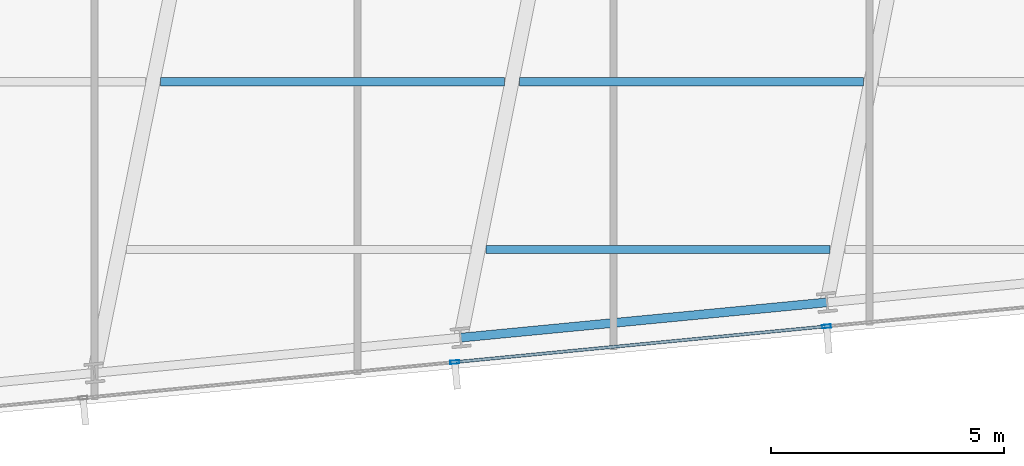
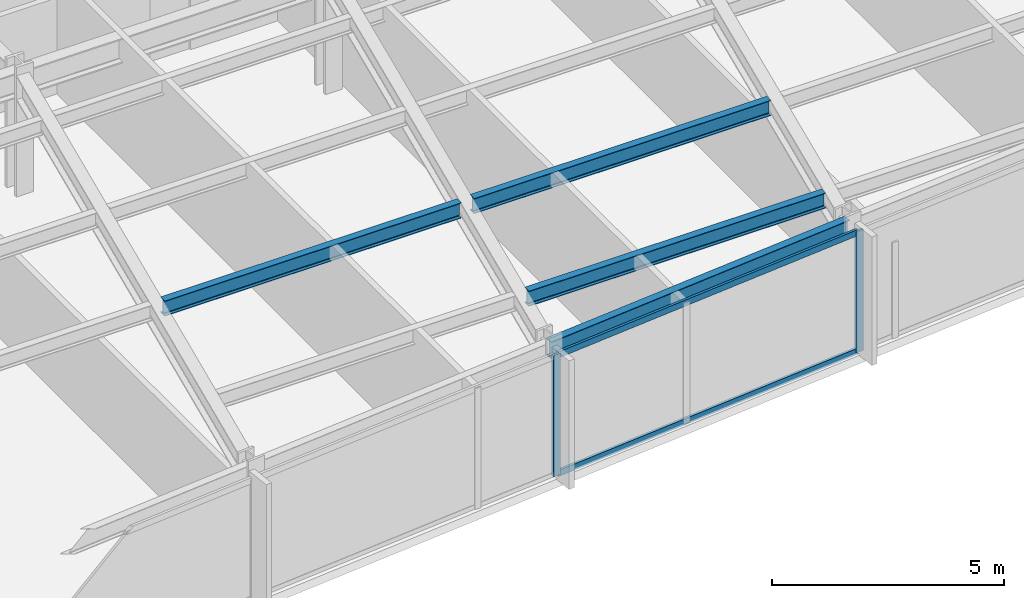
# One storey, part 4 of 32: 4 beams, 4 members, 1 element without a shape of its own.
"""IFC4 building model written with IfcOpenShell, lengths in metres."""

import ifcopenshell
import ifcopenshell.guid

model = None  # the IFC model being written
_history = None  # IfcOwnerHistory: only IFC2X3 demands one
_inside = {}  # id of a spatial element -> (the spatial element, [elements in it])
_under = {}  # id of a project, library or spatial element -> (it, [spatial elements below it])
_declared = {}  # id of a project -> (the project, [libraries it declares])
_typed = {}  # id of a type object -> (the type object, [elements of that type])
_made_of = {}  # id of a material, layer set ... -> (it, [elements and type objects made of it])


def new_model(schema):
    """Start an empty IFC model of exactly this schema.

    Asked for "IFC4X3", IfcOpenShell would pick the latest addendum, in which some entities
    have other attributes; the version numbers below select the first issue.
    IFC2X3 requires an IfcOwnerHistory on every rooted entity: one is made here for all.
    """
    global model, _history
    if schema == "IFC4X3":
        model = ifcopenshell.file(schema_version=(4, 3, 0, 0))
    else:
        model = ifcopenshell.file(schema=schema)
    _inside.clear()
    _under.clear()
    _declared.clear()
    _typed.clear()
    _made_of.clear()
    _history = None
    if model.schema == "IFC2X3":
        org = make("IfcOrganization", Name="unknown")
        user = make(
            "IfcPersonAndOrganization",
            ThePerson=make("IfcPerson", FamilyName="unknown"),
            TheOrganization=org,
        )
        app = make(
            "IfcApplication",
            ApplicationDeveloper=org,
            Version="unknown",
            ApplicationFullName="unknown",
            ApplicationIdentifier="unknown",
        )
        _history = make(
            "IfcOwnerHistory",
            OwningUser=user,
            OwningApplication=app,
            ChangeAction="ADDED",
            CreationDate=0,
        )
    return model


def make(cls, **values):
    """One entity of the class cls with the attributes given. An attribute that is None is left unset."""
    return model.create_entity(
        cls, **{name: value for name, value in values.items() if value is not None}
    )


def rooted(cls, **values):
    """An entity with a GlobalId (a new one), such as an element, a storey or a relation."""
    return make(cls, GlobalId=ifcopenshell.guid.new(), OwnerHistory=_history, **values)


def si_unit(unit_type, name, prefix=None):
    """IfcSIUnit, for example si_unit("LENGTHUNIT", "METRE", prefix="MILLI")."""
    return make("IfcSIUnit", UnitType=unit_type, Prefix=prefix, Name=name)


def assignment(units):
    """IfcUnitAssignment: the units of a project."""
    return None if units is None else make("IfcUnitAssignment", Units=units)


def point(xyz):
    """IfcCartesianPoint."""
    return None if xyz is None else make("IfcCartesianPoint", Coordinates=xyz)


def direction(xyz):
    """IfcDirection."""
    return None if xyz is None else make("IfcDirection", DirectionRatios=xyz)


def frame(location, z_axis=None, x_axis=None):
    """IfcAxis2Placement3D, a coordinate frame: its origin and axes. An axis left out is left unset."""
    return make(
        "IfcAxis2Placement3D",
        Location=point(location),
        Axis=direction(z_axis),
        RefDirection=direction(x_axis),
    )


def frame_2d(location, x_axis=None):
    """IfcAxis2Placement2D, a coordinate frame in the plane: its origin and x axis."""
    return make(
        "IfcAxis2Placement2D", Location=point(location), RefDirection=direction(x_axis)
    )


def origin():
    """The frame at (0, 0, 0) with its axes left unset."""
    return frame((0.0, 0.0, 0.0))


def origin_2d():
    """The frame at (0, 0) in the plane with its x axis left unset."""
    return frame_2d((0.0, 0.0))


def place(relative_to, where):
    """IfcLocalPlacement: puts the frame where relative to a parent placement (None: the world)."""
    return make(
        "IfcLocalPlacement", PlacementRelTo=relative_to, RelativePlacement=where
    )


def context(
    kind, dimensions, precision=None, world=None, true_north=None, identifier=None
):
    """IfcGeometricRepresentationContext, for example the 3D "Model" context."""
    return make(
        "IfcGeometricRepresentationContext",
        ContextIdentifier=identifier,
        ContextType=kind,
        CoordinateSpaceDimension=dimensions,
        Precision=precision,
        WorldCoordinateSystem=world,
        TrueNorth=true_north,
    )


def subcontext(parent, identifier, kind, view, scale=None):
    """IfcGeometricRepresentationSubContext, for example "Body" below "Model"."""
    return make(
        "IfcGeometricRepresentationSubContext",
        ContextIdentifier=identifier,
        ContextType=kind,
        ParentContext=parent,
        TargetScale=scale,
        TargetView=view,
    )


def project(units=None, contexts=None):
    """IfcProject with its units and contexts."""
    return rooted(
        "IfcProject",
        Name="project",
        RepresentationContexts=contexts,
        UnitsInContext=assignment(units),
    )


def spatial(cls, under=None, at=None, **own):
    """A site, building, storey or space (cls), placed at a placement, below another one or the project."""
    s = rooted(cls, ObjectPlacement=at, **own)
    if under is not None:
        _under.setdefault(under.id(), (under, []))[1].append(s)
    return s


def profile(cls, at=None, kind="AREA", **sizes):
    """A parametric profile (cls). Its sizes go by their IFC names, for example OverallWidth=200.0."""
    return make(cls, ProfileType=kind, Position=at, **sizes)


def hollow_rectangle(**sizes):
    """IfcRectangleHollowProfileDef."""
    return profile("IfcRectangleHollowProfileDef", **sizes)


def i_section(**sizes):
    """IfcIShapeProfileDef."""
    return profile("IfcIShapeProfileDef", **sizes)


def extrude(swept, where, along, depth):
    """IfcExtrudedAreaSolid: the profile swept, set in the frame where, extruded along a direction by depth."""
    return make(
        "IfcExtrudedAreaSolid",
        SweptArea=swept,
        Position=where,
        ExtrudedDirection=direction(along),
        Depth=depth,
    )


def shape(context_of_items, identifier, shape_type, items):
    """IfcShapeRepresentation: the items that make up one representation, for example the "Body"."""
    return make(
        "IfcShapeRepresentation",
        ContextOfItems=context_of_items,
        RepresentationIdentifier=identifier,
        RepresentationType=shape_type,
        Items=items,
    )


def material(Name=None, Category=None):
    """IfcMaterial."""
    return make("IfcMaterial", Name=Name, Category=Category)


def material_profile(
    of_material, cross_section, Name=None, Category=None, Priority=None
):
    """IfcMaterialProfile: a cross section and its material."""
    return make(
        "IfcMaterialProfile",
        Name=Name,
        Material=of_material,
        Profile=cross_section,
        Priority=Priority,
        Category=Category,
    )


def profile_set(profiles, Name=None, composite=None):
    """IfcMaterialProfileSet."""
    return make(
        "IfcMaterialProfileSet",
        Name=Name,
        MaterialProfiles=profiles,
        CompositeProfile=composite,
    )


def made_of(thing, what):
    """Note that an element or type object is made of a material, layer set ...; save() writes the relation."""
    if what is not None:
        _made_of.setdefault(what.id(), (what, []))[1].append(thing)
    return thing


def type_object(cls, material=None, **own):
    """A type object (cls), such as IfcWallType, which elements share."""
    return made_of(rooted(cls, **own), material)


def element(
    cls,
    number,
    at=None,
    inside=None,
    cuts=None,
    type_object=None,
    material=None,
    context=None,
    identifier="Body",
    shape_type=None,
    held_by="IfcProductDefinitionShape",
    body=None,
    shapes=None,
    **own,
):
    """One element of the class cls, such as IfcWall. Its Tag is "e" and its number.

    at: its placement. inside: the storey or other place that contains it. cuts: it is an
    opening in that element (IfcRelVoidsElement). A single representation is given by context,
    identifier, shape_type and body (its items); several are given by shapes. held_by: the class
    of the entity that holds the representations. save() writes the other relations.
    """
    e = rooted(cls, Tag="e%d" % number, ObjectPlacement=at, **own)
    if body is not None:
        shapes = [shape(context, identifier, shape_type, body)]
    if shapes is not None:
        e.Representation = make(held_by, Representations=shapes)
    if inside is not None:
        _inside.setdefault(inside.id(), (inside, []))[1].append(e)
    if cuts is not None:
        rooted(
            "IfcRelVoidsElement", RelatingBuildingElement=cuts, RelatedOpeningElement=e
        )
    if type_object is not None:
        _typed.setdefault(type_object.id(), (type_object, []))[1].append(e)
    return made_of(e, material)


def aggregate(whole, parts):
    """IfcRelAggregates: a whole, such as a stair, and the parts it consists of."""
    return rooted("IfcRelAggregates", RelatingObject=whole, RelatedObjects=parts)


def save(model, path):
    """Write the relations noted so far, then the file.

    IfcRelAggregates (storeys below a building ...), IfcRelContainedInSpatialStructure (elements
    in a storey), IfcRelDefinesByType, IfcRelAssociatesMaterial and IfcRelDeclares: one each for
    every whole, place, type object, material and project.
    """
    for whole, parts in _under.values():
        aggregate(whole, parts)
    for where, things in _inside.values():
        rooted(
            "IfcRelContainedInSpatialStructure",
            RelatedElements=things,
            RelatingStructure=where,
        )
    for kind, things in _typed.values():
        rooted("IfcRelDefinesByType", RelatedObjects=things, RelatingType=kind)
    for what, things in _made_of.values():
        rooted("IfcRelAssociatesMaterial", RelatedObjects=things, RelatingMaterial=what)
    for by, libraries in _declared.values():
        rooted("IfcRelDeclares", RelatingContext=by, RelatedDefinitions=libraries)
    model.write(path)


model = new_model("IFC4")

# Units and contexts
model_context = context("Model", 3, precision=1e-05, world=origin(), true_north=direction((0.0, 1.0)))
body_context = subcontext(model_context, "Body", "Model", "MODEL_VIEW")
ifc_project = project(units=[si_unit("LENGTHUNIT", "METRE"), si_unit("AREAUNIT", "SQUARE_METRE"), si_unit("VOLUMEUNIT", "CUBIC_METRE"), si_unit("PLANEANGLEUNIT", "RADIAN"), si_unit("MASSUNIT", "GRAM", prefix="KILO")], contexts=[model_context])

# Site, building, storey
site_placement = place(None, origin())
site = spatial("IfcSite", under=ifc_project, at=site_placement, CompositionType="ELEMENT")
building_placement = place(site_placement, origin())
building = spatial("IfcBuilding", under=site, at=building_placement, Name="Yelkora Congress Tower", CompositionType="ELEMENT")
storey_placement = place(building_placement, frame((0.0, 0.0, 130.5)))
storey = spatial("IfcBuildingStorey", under=building, at=storey_placement, Name="L35", CompositionType="ELEMENT", Elevation=130.5)

# Beams
ifc_material_1 = material(Name="Steel S355J2", Category="steel")
ifc_material_profile_1 = material_profile(ifc_material_1, i_section(OverallWidth=0.179931640625, OverallDepth=0.39990234375, WebThickness=0.008544921875, FlangeThickness=0.013427734375, FilletRadius=0.02099609375, at=origin_2d()), Name="IPE 400")
ifc_profile_set_1 = profile_set([ifc_material_profile_1], Name="Steel S355J2")
beam_type_1 = type_object("IfcBeamType", Name="BM-JOIST-IPE400", PredefinedType="JOIST", material=ifc_profile_set_1)
beam_1_placement = place(storey_placement, frame((36.023193359375, 12.54443359375, 2.97998046875), z_axis=(1.0, 0.0, 0.0), x_axis=(0.0, 1.0, 0.0)))
element("IfcBeam", 1, at=beam_1_placement, inside=storey, type_object=beam_type_1, Name="L35 Composite Floor Joist 2", PredefinedType="JOIST", context=body_context, shape_type="SweptSolid", body=[
    extrude(i_section(OverallWidth=0.179931640625, OverallDepth=0.39990234375, WebThickness=0.008544921875, FlangeThickness=0.013427734375, FilletRadius=0.02099609375, at=origin_2d()), origin(), (0.0, 0.0, 1.0), 7.37646484375),
])
beam_2_placement = place(storey_placement, frame((29.05419921875, 16.144287109375, 2.97998046875), z_axis=(1.0, 0.0, 0.0), x_axis=(0.0, 1.0, 0.0)))
element("IfcBeam", 2, at=beam_2_placement, inside=storey, type_object=beam_type_1, Name="L35 Composite Floor Joist 5", PredefinedType="JOIST", context=body_context, shape_type="SweptSolid", body=[
    extrude(i_section(OverallWidth=0.179931640625, OverallDepth=0.39990234375, WebThickness=0.008544921875, FlangeThickness=0.013427734375, FilletRadius=0.02099609375, at=origin_2d()), origin(), (0.0, 0.0, 1.0), 7.37060546875),
])
beam_3_placement = place(storey_placement, frame((36.744873046875, 16.144287109375, 2.97998046875), z_axis=(1.0, 0.0, 0.0), x_axis=(0.0, 1.0, 0.0)))
element("IfcBeam", 3, at=beam_3_placement, inside=storey, type_object=beam_type_1, Name="L35 Composite Floor Joist 6", PredefinedType="JOIST", context=body_context, shape_type="SweptSolid", body=[
    extrude(i_section(OverallWidth=0.179931640625, OverallDepth=0.39990234375, WebThickness=0.008544921875, FlangeThickness=0.013427734375, FilletRadius=0.02099609375, at=origin_2d()), origin(), (0.0, 0.0, 1.0), 7.371826171875),
])
ifc_material_profile_2 = material_profile(ifc_material_1, i_section(OverallWidth=0.18994140625, OverallDepth=0.449951171875, WebThickness=0.009521484375, FlangeThickness=0.0146484375, FilletRadius=0.02099609375, at=origin_2d()), Name="IPE 450")
ifc_profile_set_2 = profile_set([ifc_material_profile_2], Name="Steel S355J2")
beam_type_2 = type_object("IfcBeamType", Name="BM-SPAN-IPE450", PredefinedType="SPANDREL", material=ifc_profile_set_2)
beam_4_placement = place(storey_placement, frame((35.48486328125, 10.656005859375, 2.955078125), z_axis=(0.995395575667, 0.095852219286, 0.0), x_axis=(-0.095852219286, 0.995395575667, 0.0)))
element("IfcBeam", 4, at=beam_4_placement, inside=storey, type_object=beam_type_2, Name="L35 Perimeter Beam 5", PredefinedType="SPANDREL", context=body_context, shape_type="SweptSolid", body=[
    extrude(i_section(OverallWidth=0.18994140625, OverallDepth=0.449951171875, WebThickness=0.009521484375, FlangeThickness=0.0146484375, FilletRadius=0.02099609375, at=origin_2d()), origin(), (0.0, 0.0, 1.0), 7.8857421875),
])

# Curtain wall, members
ifc_material_2 = material(Name="Anodised aluminium and insulated glass", Category="aluminium")
curtain_wall_type = type_object("IfcCurtainWallType", Name="CW-SYS-B2", PredefinedType="NOTDEFINED", material=ifc_material_2)
curtain_wall_placement = place(storey_placement, origin())
curtain_wall = element("IfcCurtainWall", 5, at=curtain_wall_placement, inside=storey, type_object=curtain_wall_type, Name="L35 Unitised Curtain Wall 20", PredefinedType="NOTDEFINED")
ifc_material_3 = material(Name="Anodised aluminium 6063-T6", Category="aluminium")
ifc_material_profile_3 = material_profile(ifc_material_3, hollow_rectangle(XDim=0.070068359375, YDim=0.18994140625, WallThickness=0.00390625, at=origin_2d()), Name="ALU 70x190x4")
ifc_profile_set_3 = profile_set([ifc_material_profile_3], Name="Anodised aluminium 6063-T6")
member_type_1 = type_object("IfcMemberType", Name="MEM-ML-B2", PredefinedType="MULLION", material=ifc_profile_set_3)
member_1_placement = place(storey_placement, frame((43.32470703125, 10.898681640625, 0.0), z_axis=(0.0, 0.0, 1.0), x_axis=(0.095844345816, -0.995396333816, 0.0)))
member_1 = element("IfcMember", 6, at=member_1_placement, type_object=member_type_1, Name="CW-B2 mullion 5", PredefinedType="MULLION", context=body_context, shape_type="SweptSolid", body=[
    extrude(hollow_rectangle(XDim=0.070068359375, YDim=0.18994140625, WallThickness=0.00390625, at=origin_2d()), origin(), (0.0, 0.0, 1.0), 3.179931640625),
])
member_2_placement = place(storey_placement, frame((35.358642578125, 10.131591796875, 0.0), z_axis=(0.0, 0.0, 1.0), x_axis=(0.095844345816, -0.995396333816, 0.0)))
member_2 = element("IfcMember", 7, at=member_2_placement, type_object=member_type_1, Name="CW-B2 mullion 6", PredefinedType="MULLION", context=body_context, shape_type="SweptSolid", body=[
    extrude(hollow_rectangle(XDim=0.070068359375, YDim=0.18994140625, WallThickness=0.00390625, at=origin_2d()), origin(), (0.0, 0.0, 1.0), 3.179931640625),
])
ifc_material_profile_4 = material_profile(ifc_material_3, hollow_rectangle(XDim=0.06494140625, YDim=0.159912109375, WallThickness=0.00390625, at=origin_2d()), Name="ALU 65x160x4")
ifc_profile_set_4 = profile_set([ifc_material_profile_4], Name="Anodised aluminium 6063-T6")
member_type_2 = type_object("IfcMemberType", Name="MEM-TR-B2", PredefinedType="USERDEFINED", material=ifc_profile_set_4)
member_3_placement = place(storey_placement, frame((43.289794921875, 10.895263671875, 0.032470703125), z_axis=(-0.995397010735, -0.095837315383, 0.0), x_axis=(0.095837315383, -0.995397010735, 0.0)))
member_3 = element("IfcMember", 8, at=member_3_placement, type_object=member_type_2, Name="CW-B2 transom 5.1", ObjectType="TRANSOM", PredefinedType="USERDEFINED", context=body_context, shape_type="SweptSolid", body=[
    extrude(hollow_rectangle(XDim=0.06494140625, YDim=0.159912109375, WallThickness=0.00390625, at=origin_2d()), origin(), (0.0, 0.0, 1.0), 7.932861328125),
])
member_4_placement = place(storey_placement, frame((43.289794921875, 10.895263671875, 3.1474609375), z_axis=(-0.995397010735, -0.095837315383, 0.0), x_axis=(0.095837315383, -0.995397010735, 0.0)))
member_4 = element("IfcMember", 9, at=member_4_placement, type_object=member_type_2, Name="CW-B2 transom 5.2", ObjectType="TRANSOM", PredefinedType="USERDEFINED", context=body_context, shape_type="SweptSolid", body=[
    extrude(hollow_rectangle(XDim=0.06494140625, YDim=0.159912109375, WallThickness=0.00390625, at=origin_2d()), origin(), (0.0, 0.0, 1.0), 7.932861328125),
])
aggregate(curtain_wall, [member_1, member_2, member_3, member_4])

save(model, "model.ifc")
